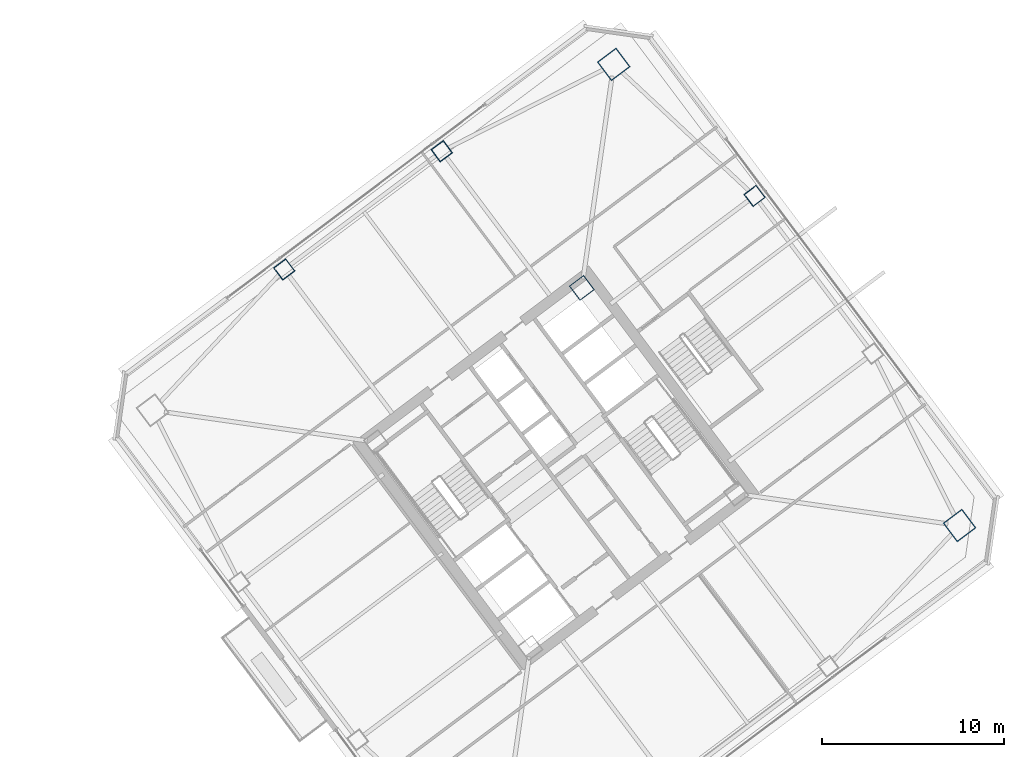
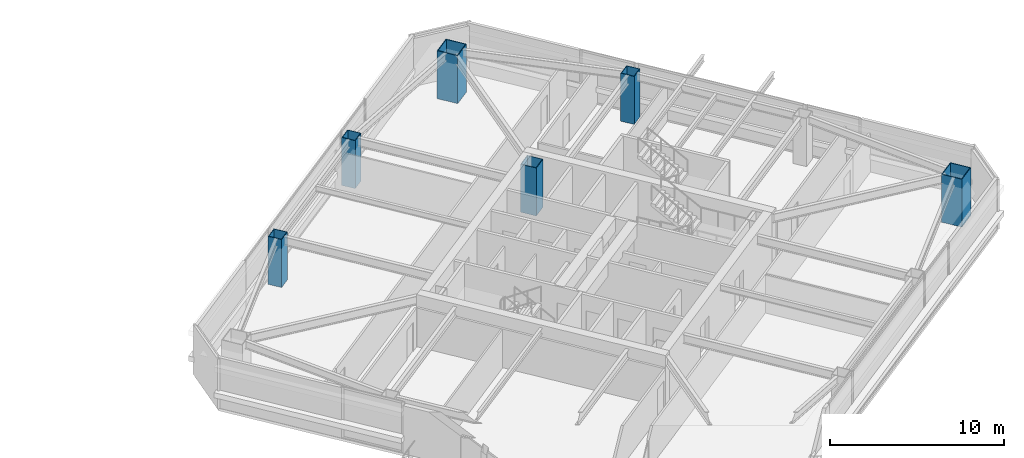
# One storey, part 2 of 40: 6 columns.
"""IFC4 building model written with IfcOpenShell, lengths in metres."""

from ifc_helpers import new_model, si_unit, direction, frame, origin, origin_2d, place, context, subcontext, project, spatial, hollow_rectangle, extrude, material, material_profile, profile_set, type_object, element, save


model = new_model("IFC4")

# Units and contexts
model_context = context("Model", 3, precision=1e-05, world=origin(), true_north=direction((0.0, 1.0)))
body_context = subcontext(model_context, "Body", "Model", "MODEL_VIEW")
ifc_project = project(units=[si_unit("LENGTHUNIT", "METRE"), si_unit("AREAUNIT", "SQUARE_METRE"), si_unit("VOLUMEUNIT", "CUBIC_METRE"), si_unit("PLANEANGLEUNIT", "RADIAN"), si_unit("MASSUNIT", "GRAM", prefix="KILO")], contexts=[model_context])

# Site, building, storey
site_placement = place(None, origin())
site = spatial("IfcSite", under=ifc_project, at=site_placement, CompositionType="ELEMENT")
building_placement = place(site_placement, origin())
building = spatial("IfcBuilding", under=site, at=building_placement, Name="Tashvorn Skyway Center", CompositionType="ELEMENT")
storey_placement = place(building_placement, frame((0.0, 0.0, 142.800048828125)))
storey = spatial("IfcBuildingStorey", under=building, at=storey_placement, Name="L38", CompositionType="ELEMENT", Elevation=142.800048828125)

# Columns
ifc_material = material(Name="Steel ASTM A572 Grade 50", Category="steel")
ifc_material_profile_1 = material_profile(ifc_material, hollow_rectangle(XDim=1.0, YDim=1.0, WallThickness=0.0400390625, at=origin_2d()), Name="BOX1000x1000x40")
ifc_profile_set_1 = profile_set([ifc_material_profile_1], Name="Steel ASTM A572 Grade 50")
column_type_1 = type_object("IfcColumnType", Name="COL-BOX1000x1000x40", PredefinedType="COLUMN", material=ifc_profile_set_1)
column_placement = place(storey_placement, frame((115.409912109375, 41.8701171875, 0.0), z_axis=(0.0, 0.0, 1.0), x_axis=(0.799999996291, 0.600000004945, 0.0)))
element("IfcColumn", 1, at=column_placement, inside=storey, type_object=column_type_1, Name="Tower 2 L38 Core Corner Column CC-NE", PredefinedType="COLUMN", context=body_context, shape_type="SweptSolid", body=[
    extrude(hollow_rectangle(XDim=1.0, YDim=1.0, WallThickness=0.0400390625, at=origin_2d()), origin(), (0.0, 0.0, 1.0), 3.369873046875),
])
ifc_material_profile_2 = material_profile(ifc_material, hollow_rectangle(XDim=1.300048828125, YDim=1.300048828125, WallThickness=0.050048828125, at=origin_2d()), Name="BOX1300x1300x50")
ifc_profile_set_2 = profile_set([ifc_material_profile_2], Name="Steel ASTM A572 Grade 50")
column_type_2 = type_object("IfcColumnType", Name="COL-BOX1300x1300x50", PredefinedType="COLUMN", material=ifc_profile_set_2)
for number, where, z_axis, x_axis, name in (
    (2, (136.1201171875, 28.840087890625, 0.0), (0.0, 0.0, 1.0), (0.799999996291, 0.600000004945, 0.0), "Tower 2 L38 Mega-Column MC-SE"),
    (3, (117.159912109375, 54.1201171875, 0.0), (0.0, 0.0, 1.0), (0.799999996291, 0.600000004945, 0.0), "Tower 2 L38 Mega-Column MC-NE"),
):
    element("IfcColumn", number, at=place(storey_placement, frame(where, z_axis=z_axis, x_axis=x_axis)), inside=storey, type_object=column_type_2, Name=name, PredefinedType="COLUMN", context=body_context, shape_type="SweptSolid", body=[
        extrude(hollow_rectangle(XDim=1.300048828125, YDim=1.300048828125, WallThickness=0.050048828125, at=origin_2d()), origin(), (0.0, 0.0, 1.0), 3.369873046875),
    ])
ifc_material_profile_3 = material_profile(ifc_material, hollow_rectangle(XDim=0.85009765625, YDim=0.85009765625, WallThickness=0.034912109375, at=origin_2d()), Name="BOX850x850x35")
ifc_profile_set_3 = profile_set([ifc_material_profile_3], Name="Steel ASTM A572 Grade 50")
column_type_3 = type_object("IfcColumnType", Name="COL-BOX850x850x35", PredefinedType="COLUMN", material=ifc_profile_set_3)
for number, where, z_axis, x_axis, name in (
    (4, (124.8798828125, 46.909912109375, 0.0), (0.0, 0.0, 1.0), (0.799999996291, 0.600000004945, 0.0), "Tower 2 L38 Perimeter Column FC-E2"),
    (5, (107.72998046875, 49.360107421875, 0.0), (0.0, 0.0, 1.0), (0.799999996291, 0.600000004945, 0.0), "Tower 2 L38 Perimeter Column FC-N1"),
    (6, (99.090087890625, 42.8798828125, 0.0), (0.0, 0.0, 1.0), (0.799999996291, 0.600000004945, 0.0), "Tower 2 L38 Perimeter Column FC-N2"),
):
    element("IfcColumn", number, at=place(storey_placement, frame(where, z_axis=z_axis, x_axis=x_axis)), inside=storey, type_object=column_type_3, Name=name, PredefinedType="COLUMN", context=body_context, shape_type="SweptSolid", body=[
        extrude(hollow_rectangle(XDim=0.85009765625, YDim=0.85009765625, WallThickness=0.034912109375, at=origin_2d()), origin(), (0.0, 0.0, 1.0), 3.369873046875),
    ])

save(model, "model.ifc")
